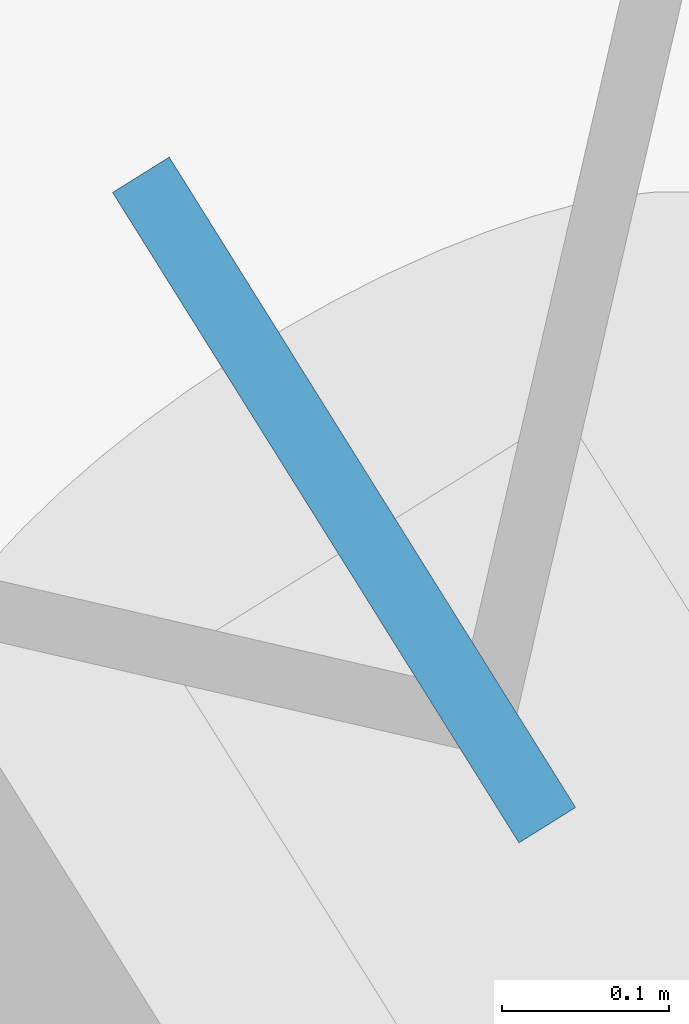
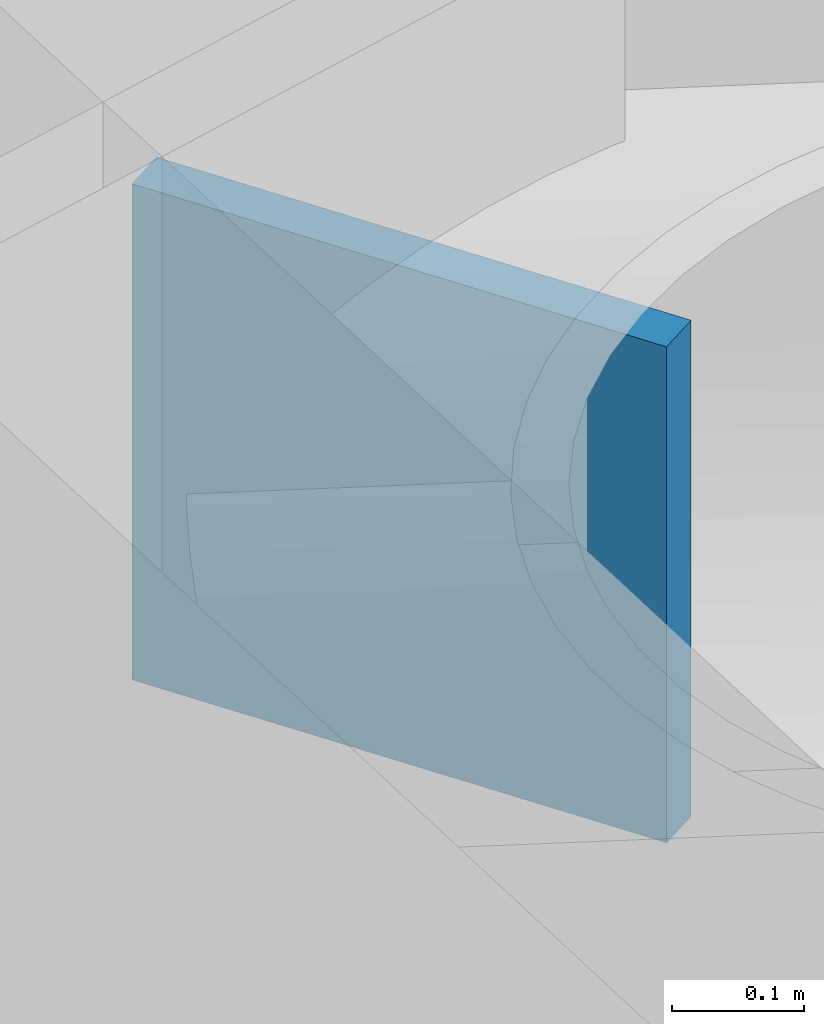
# One storey, part 20 of 21: 1 discrete accessory.
"""IFC4 building model written with IfcOpenShell, lengths in metres."""

from ifc_helpers import new_model, si_unit, direction, frame, origin, origin_2d, place, context, subcontext, project, spatial, rectangle, extrude, material, type_object, element, save


model = new_model("IFC4")

# Units and contexts
model_context = context("Model", 3, precision=1e-05, world=origin(), true_north=direction((0.0, 1.0)))
body_context = subcontext(model_context, "Body", "Model", "MODEL_VIEW")
ifc_project = project(units=[si_unit("LENGTHUNIT", "METRE"), si_unit("AREAUNIT", "SQUARE_METRE"), si_unit("VOLUMEUNIT", "CUBIC_METRE"), si_unit("PLANEANGLEUNIT", "RADIAN"), si_unit("MASSUNIT", "GRAM", prefix="KILO")], contexts=[model_context])

# Site, building, storey
site_placement = place(None, origin())
site = spatial("IfcSite", under=ifc_project, at=site_placement, CompositionType="ELEMENT")
building_placement = place(site_placement, origin())
building = spatial("IfcBuilding", under=site, at=building_placement, Name="Tavrogorsk Clinical Tower", CompositionType="ELEMENT")
storey_placement = place(building_placement, frame((0.0, 0.0, 43.39990234375)))
storey = spatial("IfcBuildingStorey", under=building, at=storey_placement, Name="L08", CompositionType="ELEMENT", Elevation=43.39990234375)

# Discrete accessory
ifc_material = material(Name="Structural steel S440", Category="steel")
discrete_accessory_type = type_object("IfcDiscreteAccessoryType", Name="GussetPlateBracket_25", PredefinedType="BRACKET", material=ifc_material)
discrete_accessory_placement = place(storey_placement, frame((36.65380859375, 14.481689453125, 0.212646484375), z_axis=(0.0, 0.0, 1.0), x_axis=(0.529919264233, -0.848048096156, 0.0)))
element("IfcDiscreteAccessory", 1, at=discrete_accessory_placement, inside=storey, type_object=discrete_accessory_type, Name="L08 Brace Gusset Plate EXOCRN-L08-2-A", PredefinedType="BRACKET", context=body_context, shape_type="SweptSolid", body=[
    extrude(rectangle(XDim=0.4599609375, YDim=0.0400390625, at=origin_2d()), origin(), (0.0, 0.0, 1.0), 0.4599609375),
])

save(model, "model.ifc")
